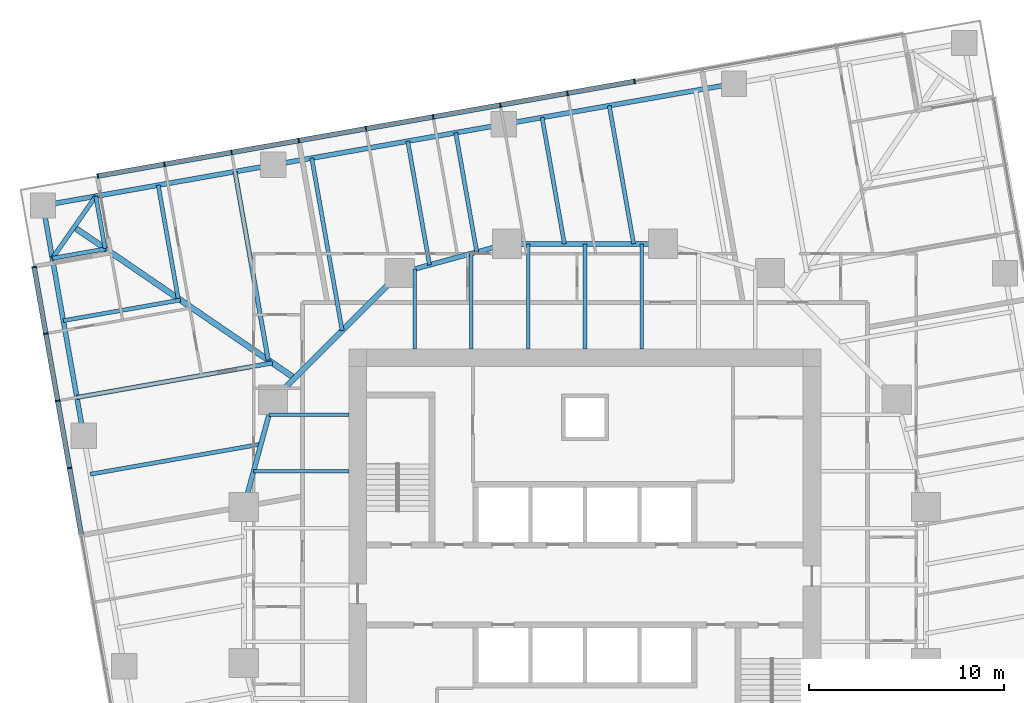
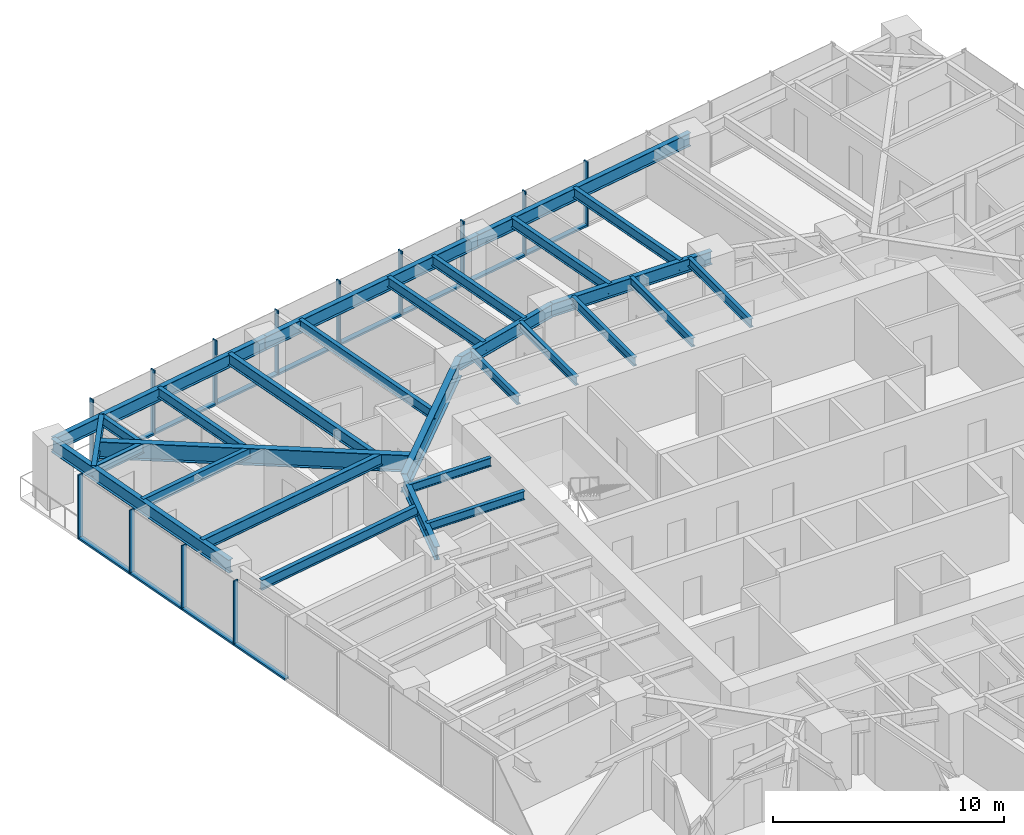
# One storey, part 5 of 14: 29 beams, 25 members, 2 elements without a shape of their own.
"""IFC4 building model written with IfcOpenShell, lengths in metres."""

from ifc_helpers import new_model, si_unit, direction, frame, origin, origin_2d, place, context, subcontext, project, spatial, rectangle, i_section, extrude, material, material_profile, profile_set, type_object, element, aggregate, save


model = new_model("IFC4")

# Units and contexts
model_context = context("Model", 3, precision=1e-05, world=origin(), true_north=direction((0.0, 1.0)))
body_context = subcontext(model_context, "Body", "Model", "MODEL_VIEW")
ifc_project = project(units=[si_unit("LENGTHUNIT", "METRE"), si_unit("AREAUNIT", "SQUARE_METRE"), si_unit("VOLUMEUNIT", "CUBIC_METRE"), si_unit("PLANEANGLEUNIT", "RADIAN"), si_unit("MASSUNIT", "GRAM", prefix="KILO")], contexts=[model_context])

# Site, building, storey
site_placement = place(None, origin())
site = spatial("IfcSite", under=ifc_project, at=site_placement, CompositionType="ELEMENT")
building_placement = place(site_placement, origin())
building = spatial("IfcBuilding", under=site, at=building_placement, Name="Torsade Residences", CompositionType="ELEMENT")
storey_placement = place(building_placement, frame((0.0, 0.0, 82.800048828125)))
storey = spatial("IfcBuildingStorey", under=building, at=storey_placement, Name="L22", CompositionType="ELEMENT", Elevation=82.800048828125)

# Beams
ifc_material_1 = material(Name="Steel grade 300", Category="steel")
ifc_material_profile_1 = material_profile(ifc_material_1, i_section(OverallWidth=0.300048828125, OverallDepth=0.89990234375, WebThickness=0.011962890625, FlangeThickness=0.02490234375, at=origin_2d()), Name="900WB175")
ifc_profile_set_1 = profile_set([ifc_material_profile_1], Name="Steel grade 300")
beam_type_1 = type_object("IfcBeamType", Name="CORNER GIRDER 900WB175", PredefinedType="BEAM", material=ifc_profile_set_1)
beam_1_placement = place(storey_placement, frame((13.7900390625, 48.3525390625, 2.800048828125), z_axis=(0.825279313977, -0.564724759437, 0.0), x_axis=(0.564724759437, 0.825279313977, 0.0)))
element("IfcBeam", 1, at=beam_1_placement, inside=storey, type_object=beam_type_1, Name="Corner girder 13 L23", PredefinedType="BEAM", context=body_context, shape_type="SweptSolid", body=[
    extrude(i_section(OverallWidth=0.300048828125, OverallDepth=0.89990234375, WebThickness=0.011962890625, FlangeThickness=0.02490234375, at=origin_2d()), origin(), (0.0, 0.0, 1.0), 13.7138671875),
])
ifc_material_2 = material(Name="Steel grade 300", Category="steel")
ifc_material_profile_2 = material_profile(ifc_material_2, i_section(OverallWidth=0.22802734375, OverallDepth=0.60205078125, WebThickness=0.010498046875, FlangeThickness=0.014892578125, FilletRadius=0.013916015625, at=origin_2d()), Name="610UB101")
ifc_profile_set_2 = profile_set([ifc_material_profile_2], Name="Steel grade 300")
beam_type_2 = type_object("IfcBeamType", Name="CORNER TRIMMER 610UB101", PredefinedType="BEAM", material=ifc_profile_set_2)
beam_2_placement = place(storey_placement, frame((12.674560546875, 46.759521484375, 2.948974609375), z_axis=(0.573576092373, 0.819152285145, 0.0), x_axis=(-0.819152285145, 0.573576092373, 0.0)))
element("IfcBeam", 2, at=beam_2_placement, inside=storey, type_object=beam_type_2, Name="Corner trimmer 13 L23", PredefinedType="BEAM", context=body_context, shape_type="SweptSolid", body=[
    extrude(i_section(OverallWidth=0.22802734375, OverallDepth=0.60205078125, WebThickness=0.010498046875, FlangeThickness=0.014892578125, FilletRadius=0.013916015625, at=origin_2d()), origin(), (0.0, 0.0, 1.0), 3.88916015625),
])

# Curtain wall, members
ifc_material_3 = material(Name="Aluminium and glass", Category="aluminium")
curtain_wall_type = type_object("IfcCurtainWallType", Name="FRITTED GLASS CURTAIN WALL LOW ZONE", PredefinedType="NOTDEFINED", material=ifc_material_3)
curtain_wall_1_placement = place(storey_placement, origin())
curtain_wall_1 = element("IfcCurtainWall", 3, at=curtain_wall_1_placement, inside=storey, type_object=curtain_wall_type, Name="Curtain wall L22 face 7", PredefinedType="NOTDEFINED")
ifc_material_4 = material(Name="Aluminium mullion", Category="aluminium")
ifc_material_profile_3 = material_profile(ifc_material_4, rectangle(XDim=0.25, YDim=0.06494140625, at=origin_2d()), Name="CURTAIN WALL MULLION 250x65")
ifc_profile_set_3 = profile_set([ifc_material_profile_3], Name="Aluminium mullion")
member_type_1 = type_object("IfcMemberType", Name="CURTAIN WALL MULLION 250x65", PredefinedType="MULLION", material=ifc_profile_set_3)
member_1_placement = place(storey_placement, frame((42.552490234375, 55.835693359375, 0.0), z_axis=(0.0, 0.0, 1.0), x_axis=(0.173648192638, -0.984807750372, 0.0)))
member_1 = element("IfcMember", 4, at=member_1_placement, type_object=member_type_1, Name="Mullion 5", PredefinedType="MULLION", context=body_context, shape_type="SweptSolid", body=[
    extrude(rectangle(XDim=0.25, YDim=0.06494140625, at=origin_2d()), origin(), (0.0, 0.0, 1.0), 3.39990234375),
])
member_2_placement = place(storey_placement, frame((39.105712890625, 55.22802734375, 0.0), z_axis=(0.0, 0.0, 1.0), x_axis=(0.173648192638, -0.984807750372, 0.0)))
member_2 = element("IfcMember", 5, at=member_2_placement, type_object=member_type_1, Name="Mullion 6", PredefinedType="MULLION", context=body_context, shape_type="SweptSolid", body=[
    extrude(rectangle(XDim=0.25, YDim=0.06494140625, at=origin_2d()), origin(), (0.0, 0.0, 1.0), 3.39990234375),
])
member_3_placement = place(storey_placement, frame((35.65869140625, 54.6201171875, 0.0), z_axis=(0.0, 0.0, 1.0), x_axis=(0.173648192638, -0.984807750372, 0.0)))
member_3 = element("IfcMember", 6, at=member_3_placement, type_object=member_type_1, Name="Mullion 7", PredefinedType="MULLION", context=body_context, shape_type="SweptSolid", body=[
    extrude(rectangle(XDim=0.25, YDim=0.06494140625, at=origin_2d()), origin(), (0.0, 0.0, 1.0), 3.39990234375),
])
member_4_placement = place(storey_placement, frame((32.2119140625, 54.012451171875, 0.0), z_axis=(0.0, 0.0, 1.0), x_axis=(0.173648192638, -0.984807750372, 0.0)))
member_4 = element("IfcMember", 7, at=member_4_placement, type_object=member_type_1, Name="Mullion 8", PredefinedType="MULLION", context=body_context, shape_type="SweptSolid", body=[
    extrude(rectangle(XDim=0.25, YDim=0.06494140625, at=origin_2d()), origin(), (0.0, 0.0, 1.0), 3.39990234375),
])
member_5_placement = place(storey_placement, frame((28.76513671875, 53.404541015625, 0.0), z_axis=(0.0, 0.0, 1.0), x_axis=(0.173648192638, -0.984807750372, 0.0)))
member_5 = element("IfcMember", 8, at=member_5_placement, type_object=member_type_1, Name="Mullion 9", PredefinedType="MULLION", context=body_context, shape_type="SweptSolid", body=[
    extrude(rectangle(XDim=0.25, YDim=0.06494140625, at=origin_2d()), origin(), (0.0, 0.0, 1.0), 3.39990234375),
])
member_6_placement = place(storey_placement, frame((25.318359375, 52.796875, 0.0), z_axis=(0.0, 0.0, 1.0), x_axis=(0.173648192638, -0.984807750372, 0.0)))
member_6 = element("IfcMember", 9, at=member_6_placement, type_object=member_type_1, Name="Mullion 10", PredefinedType="MULLION", context=body_context, shape_type="SweptSolid", body=[
    extrude(rectangle(XDim=0.25, YDim=0.06494140625, at=origin_2d()), origin(), (0.0, 0.0, 1.0), 3.39990234375),
])
member_7_placement = place(storey_placement, frame((21.87158203125, 52.189208984375, 0.0), z_axis=(0.0, 0.0, 1.0), x_axis=(0.173648192638, -0.984807750372, 0.0)))
member_7 = element("IfcMember", 10, at=member_7_placement, type_object=member_type_1, Name="Mullion 11", PredefinedType="MULLION", context=body_context, shape_type="SweptSolid", body=[
    extrude(rectangle(XDim=0.25, YDim=0.06494140625, at=origin_2d()), origin(), (0.0, 0.0, 1.0), 3.39990234375),
])
member_8_placement = place(storey_placement, frame((18.424560546875, 51.581298828125, 0.0), z_axis=(0.0, 0.0, 1.0), x_axis=(0.173648192638, -0.984807750372, 0.0)))
member_8 = element("IfcMember", 11, at=member_8_placement, type_object=member_type_1, Name="Mullion 12", PredefinedType="MULLION", context=body_context, shape_type="SweptSolid", body=[
    extrude(rectangle(XDim=0.25, YDim=0.06494140625, at=origin_2d()), origin(), (0.0, 0.0, 1.0), 3.39990234375),
])
member_9_placement = place(storey_placement, frame((15.009765625, 50.979248046875, 0.0), z_axis=(0.0, 0.0, 1.0), x_axis=(0.173648192638, -0.984807750372, 0.0)))
member_9 = element("IfcMember", 12, at=member_9_placement, type_object=member_type_1, Name="Mullion 13", PredefinedType="MULLION", context=body_context, shape_type="SweptSolid", body=[
    extrude(rectangle(XDim=0.25, YDim=0.06494140625, at=origin_2d()), origin(), (0.0, 0.0, 1.0), 3.39990234375),
])

curtain_wall_2_placement = place(storey_placement, origin())
curtain_wall_2 = element("IfcCurtainWall", 13, at=curtain_wall_2_placement, inside=storey, type_object=curtain_wall_type, Name="Curtain wall L22 face 10", PredefinedType="NOTDEFINED")
member_10_placement = place(storey_placement, frame((11.73876953125, 46.307861328125, 0.0), z_axis=(0.0, 0.0, 1.0), x_axis=(0.984807750372, 0.173648192638, 0.0)))
member_10 = element("IfcMember", 14, at=member_10_placement, type_object=member_type_1, Name="Mullion 1", PredefinedType="MULLION", context=body_context, shape_type="SweptSolid", body=[
    extrude(rectangle(XDim=0.25, YDim=0.06494140625, at=origin_2d()), origin(), (0.0, 0.0, 1.0), 3.39990234375),
])
member_11_placement = place(storey_placement, frame((12.341064453125, 42.892822265625, 0.0), z_axis=(0.0, 0.0, 1.0), x_axis=(0.984807750372, 0.173648192638, 0.0)))
member_11 = element("IfcMember", 15, at=member_11_placement, type_object=member_type_1, Name="Mullion 2", PredefinedType="MULLION", context=body_context, shape_type="SweptSolid", body=[
    extrude(rectangle(XDim=0.25, YDim=0.06494140625, at=origin_2d()), origin(), (0.0, 0.0, 1.0), 3.39990234375),
])
member_12_placement = place(storey_placement, frame((12.94873046875, 39.446044921875, 0.0), z_axis=(0.0, 0.0, 1.0), x_axis=(0.984807750372, 0.173648192638, 0.0)))
member_12 = element("IfcMember", 16, at=member_12_placement, type_object=member_type_1, Name="Mullion 3", PredefinedType="MULLION", context=body_context, shape_type="SweptSolid", body=[
    extrude(rectangle(XDim=0.25, YDim=0.06494140625, at=origin_2d()), origin(), (0.0, 0.0, 1.0), 3.39990234375),
])
member_13_placement = place(storey_placement, frame((13.556396484375, 35.999267578125, 0.0), z_axis=(0.0, 0.0, 1.0), x_axis=(0.984807750372, 0.173648192638, 0.0)))
member_13 = element("IfcMember", 17, at=member_13_placement, type_object=member_type_1, Name="Mullion 4", PredefinedType="MULLION", context=body_context, shape_type="SweptSolid", body=[
    extrude(rectangle(XDim=0.25, YDim=0.06494140625, at=origin_2d()), origin(), (0.0, 0.0, 1.0), 3.39990234375),
])

# Member
ifc_material_5 = material(Name="Aluminium transom", Category="aluminium")
ifc_material_profile_4 = material_profile(ifc_material_5, rectangle(XDim=0.25, YDim=0.10009765625, at=origin_2d()), Name="CURTAIN WALL TRANSOM 250x100")
ifc_profile_set_4 = profile_set([ifc_material_profile_4], Name="Aluminium transom")
member_type_2 = type_object("IfcMemberType", Name="CURTAIN WALL TRANSOM 250x100", PredefinedType="USERDEFINED", material=ifc_profile_set_4)
member_14_placement = place(storey_placement, frame((42.5205078125, 55.830078125, 0.050048828125), z_axis=(-0.984810021497, -0.17363531196, 0.0), x_axis=(0.17363531196, -0.984810021497, 0.0)))
member_14 = element("IfcMember", 18, at=member_14_placement, type_object=member_type_2, Name="Transom 5.1", ObjectType="TRANSOM", PredefinedType="USERDEFINED", context=body_context, shape_type="SweptSolid", body=[
    extrude(rectangle(XDim=0.25, YDim=0.10009765625, at=origin_2d()), origin(), (0.0, 0.0, 1.0), 3.43505859375),
])

member_15_placement = place(storey_placement, frame((39.07373046875, 55.222412109375, 0.050048828125), z_axis=(-0.98479786563, -0.173704242465, 0.0), x_axis=(0.173704242465, -0.98479786563, 0.0)))
member_15 = element("IfcMember", 19, at=member_15_placement, type_object=member_type_2, Name="Transom 6.1", ObjectType="TRANSOM", PredefinedType="USERDEFINED", context=body_context, shape_type="SweptSolid", body=[
    extrude(rectangle(XDim=0.25, YDim=0.10009765625, at=origin_2d()), origin(), (0.0, 0.0, 1.0), 3.43505859375),
])

member_16_placement = place(storey_placement, frame((35.626708984375, 54.614501953125, 0.050048828125), z_axis=(-0.984810021497, -0.17363531196, 0.0), x_axis=(0.17363531196, -0.984810021497, 0.0)))
member_16 = element("IfcMember", 20, at=member_16_placement, type_object=member_type_2, Name="Transom 7.1", ObjectType="TRANSOM", PredefinedType="USERDEFINED", context=body_context, shape_type="SweptSolid", body=[
    extrude(rectangle(XDim=0.25, YDim=0.10009765625, at=origin_2d()), origin(), (0.0, 0.0, 1.0), 3.43505859375),
])

member_17_placement = place(storey_placement, frame((32.179931640625, 54.0068359375, 0.050048828125), z_axis=(-0.984810021497, -0.17363531196, 0.0), x_axis=(0.17363531196, -0.984810021497, 0.0)))
member_17 = element("IfcMember", 21, at=member_17_placement, type_object=member_type_2, Name="Transom 8.1", ObjectType="TRANSOM", PredefinedType="USERDEFINED", context=body_context, shape_type="SweptSolid", body=[
    extrude(rectangle(XDim=0.25, YDim=0.10009765625, at=origin_2d()), origin(), (0.0, 0.0, 1.0), 3.43505859375),
])

member_18_placement = place(storey_placement, frame((28.733154296875, 53.39892578125, 0.050048828125), z_axis=(-0.984810021497, -0.17363531196, 0.0), x_axis=(0.17363531196, -0.984810021497, 0.0)))
member_18 = element("IfcMember", 22, at=member_18_placement, type_object=member_type_2, Name="Transom 9.1", ObjectType="TRANSOM", PredefinedType="USERDEFINED", context=body_context, shape_type="SweptSolid", body=[
    extrude(rectangle(XDim=0.25, YDim=0.10009765625, at=origin_2d()), origin(), (0.0, 0.0, 1.0), 3.43505859375),
])

member_19_placement = place(storey_placement, frame((25.286376953125, 52.791259765625, 0.050048828125), z_axis=(-0.984810021497, -0.17363531196, 0.0), x_axis=(0.17363531196, -0.984810021497, 0.0)))
member_19 = element("IfcMember", 23, at=member_19_placement, type_object=member_type_2, Name="Transom 10.1", ObjectType="TRANSOM", PredefinedType="USERDEFINED", context=body_context, shape_type="SweptSolid", body=[
    extrude(rectangle(XDim=0.25, YDim=0.10009765625, at=origin_2d()), origin(), (0.0, 0.0, 1.0), 3.43505859375),
])

member_20_placement = place(storey_placement, frame((21.839599609375, 52.18359375, 0.050048828125), z_axis=(-0.98479786563, -0.173704242465, 0.0), x_axis=(0.173704242465, -0.98479786563, 0.0)))
member_20 = element("IfcMember", 24, at=member_20_placement, type_object=member_type_2, Name="Transom 11.1", ObjectType="TRANSOM", PredefinedType="USERDEFINED", context=body_context, shape_type="SweptSolid", body=[
    extrude(rectangle(XDim=0.25, YDim=0.10009765625, at=origin_2d()), origin(), (0.0, 0.0, 1.0), 3.43505859375),
])

member_21_placement = place(storey_placement, frame((18.392578125, 51.57568359375, 0.050048828125), z_axis=(-0.984808830466, -0.173642067011, 0.0), x_axis=(0.173642067011, -0.984808830466, 0.0)))
member_21 = element("IfcMember", 25, at=member_21_placement, type_object=member_type_2, Name="Transom 12.1", ObjectType="TRANSOM", PredefinedType="USERDEFINED", context=body_context, shape_type="SweptSolid", body=[
    extrude(rectangle(XDim=0.25, YDim=0.10009765625, at=origin_2d()), origin(), (0.0, 0.0, 1.0), 3.402587890625),
])

aggregate(curtain_wall_1, [member_1, member_2, member_3, member_4, member_5, member_6, member_7, member_8, member_9, member_14, member_15, member_16, member_17, member_18, member_19, member_20, member_21])

member_22_placement = place(storey_placement, frame((11.744384765625, 46.275634765625, 0.050048828125), z_axis=(0.173654337918, -0.984806666774, 0.0), x_axis=(0.984806666774, 0.173654337918, 0.0)))
member_22 = element("IfcMember", 26, at=member_22_placement, type_object=member_type_2, Name="Transom 1.1", ObjectType="TRANSOM", PredefinedType="USERDEFINED", context=body_context, shape_type="SweptSolid", body=[
    extrude(rectangle(XDim=0.25, YDim=0.10009765625, at=origin_2d()), origin(), (0.0, 0.0, 1.0), 3.40234375),
])

member_23_placement = place(storey_placement, frame((12.3466796875, 42.86083984375, 0.050048828125), z_axis=(0.17363531196, -0.984810021497, 0.0), x_axis=(0.984810021497, 0.17363531196, 0.0)))
member_23 = element("IfcMember", 27, at=member_23_placement, type_object=member_type_2, Name="Transom 2.1", ObjectType="TRANSOM", PredefinedType="USERDEFINED", context=body_context, shape_type="SweptSolid", body=[
    extrude(rectangle(XDim=0.25, YDim=0.10009765625, at=origin_2d()), origin(), (0.0, 0.0, 1.0), 3.43505859375),
])

member_24_placement = place(storey_placement, frame((12.954345703125, 39.4140625, 0.050048828125), z_axis=(0.17363531196, -0.984810021497, 0.0), x_axis=(0.984810021497, 0.17363531196, 0.0)))
member_24 = element("IfcMember", 28, at=member_24_placement, type_object=member_type_2, Name="Transom 3.1", ObjectType="TRANSOM", PredefinedType="USERDEFINED", context=body_context, shape_type="SweptSolid", body=[
    extrude(rectangle(XDim=0.25, YDim=0.10009765625, at=origin_2d()), origin(), (0.0, 0.0, 1.0), 3.43505859375),
])

member_25_placement = place(storey_placement, frame((13.562255859375, 35.96728515625, 0.050048828125), z_axis=(0.17363531196, -0.984810021497, 0.0), x_axis=(0.984810021497, 0.17363531196, 0.0)))
member_25 = element("IfcMember", 29, at=member_25_placement, type_object=member_type_2, Name="Transom 4.1", ObjectType="TRANSOM", PredefinedType="USERDEFINED", context=body_context, shape_type="SweptSolid", body=[
    extrude(rectangle(XDim=0.25, YDim=0.10009765625, at=origin_2d()), origin(), (0.0, 0.0, 1.0), 3.43505859375),
])

aggregate(curtain_wall_2, [member_10, member_11, member_12, member_13, member_22, member_23, member_24, member_25])

# Beams
ifc_material_6 = material(Name="Steel grade 300", Category="steel")
ifc_material_profile_5 = material_profile(ifc_material_6, i_section(OverallWidth=0.25, OverallDepth=0.699951171875, WebThickness=0.010009765625, FlangeThickness=0.02001953125, at=origin_2d()), Name="700WB130")
ifc_profile_set_5 = profile_set([ifc_material_profile_5], Name="Steel grade 300")
beam_type_3 = type_object("IfcBeamType", Name="EDGE BEAM 700WB130", PredefinedType="SPANDREL", material=ifc_profile_set_5)
beam_3_placement = place(storey_placement, frame((47.650146484375, 55.71923828125, 2.89990234375), z_axis=(-0.984808127031, -0.173646056486, 0.0), x_axis=(0.173646056486, -0.984808127031, 0.0)))
element("IfcBeam", 30, at=beam_3_placement, inside=storey, type_object=beam_type_3, Name="Edge beam 10 L23", PredefinedType="SPANDREL", context=body_context, shape_type="SweptSolid", body=[
    extrude(i_section(OverallWidth=0.25, OverallDepth=0.699951171875, WebThickness=0.010009765625, FlangeThickness=0.02001953125, at=origin_2d()), origin(), (0.0, 0.0, 1.0), 12.0),
])
beam_4_placement = place(storey_placement, frame((35.83251953125, 53.635498046875, 2.89990234375), z_axis=(-0.984805261243, -0.173662308598, 0.0), x_axis=(0.173662308598, -0.984805261243, 0.0)))
element("IfcBeam", 31, at=beam_4_placement, inside=storey, type_object=beam_type_3, Name="Edge beam 11 L23", PredefinedType="SPANDREL", context=body_context, shape_type="SweptSolid", body=[
    extrude(i_section(OverallWidth=0.25, OverallDepth=0.699951171875, WebThickness=0.010009765625, FlangeThickness=0.02001953125, at=origin_2d()), origin(), (0.0, 0.0, 1.0), 12.000244140625),
])
for number, where, z_axis, x_axis, name in (
    (32, (24.0146484375, 51.551513671875, 2.89990234375), (-0.984808127031, -0.173646056486, 0.0), (0.173646056486, -0.984808127031, 0.0), "Edge beam 12 L23"),
    (33, (12.197021484375, 49.4677734375, 2.89990234375), (0.173646056486, -0.984808127031, 0.0), (0.984808127031, 0.173646056486, 0.0), "Edge beam 13 L23"),
):
    element("IfcBeam", number, at=place(storey_placement, frame(where, z_axis=z_axis, x_axis=x_axis)), inside=storey, type_object=beam_type_3, Name=name, PredefinedType="SPANDREL", context=body_context, shape_type="SweptSolid", body=[
        extrude(i_section(OverallWidth=0.25, OverallDepth=0.699951171875, WebThickness=0.010009765625, FlangeThickness=0.02001953125, at=origin_2d()), origin(), (0.0, 0.0, 1.0), 12.0),
    ])
ifc_material_7 = material(Name="Steel grade 300", Category="steel")
ifc_material_profile_6 = material_profile(ifc_material_7, i_section(OverallWidth=0.18994140625, OverallDepth=0.4541015625, WebThickness=0.008544921875, FlangeThickness=0.0126953125, FilletRadius=0.011474609375, at=origin_2d()), Name="460UB67.1")
ifc_profile_set_6 = profile_set([ifc_material_profile_6], Name="Steel grade 300")
beam_type_4 = type_object("IfcBeamType", Name="INNER FLOOR BEAM 460UB67.1", PredefinedType="JOIST", material=ifc_profile_set_6)
beam_5_placement = place(storey_placement, frame((31.262451171875, 42.10009765625, 3.02294921875), z_axis=(0.0, 1.0, 0.0), x_axis=(-1.0, 0.0, 0.0)))
element("IfcBeam", 34, at=beam_5_placement, inside=storey, type_object=beam_type_4, Name="Inner floor beam IN01 L23", PredefinedType="JOIST", context=body_context, shape_type="SweptSolid", body=[
    extrude(i_section(OverallWidth=0.18994140625, OverallDepth=0.4541015625, WebThickness=0.008544921875, FlangeThickness=0.0126953125, FilletRadius=0.011474609375, at=origin_2d()), origin(), (0.0, 0.0, 1.0), 4.10791015625),
])
beam_6_placement = place(storey_placement, frame((34.175048828125, 42.10009765625, 3.02294921875), z_axis=(0.0, 1.0, 0.0), x_axis=(-1.0, 0.0, 0.0)))
element("IfcBeam", 35, at=beam_6_placement, inside=storey, type_object=beam_type_4, Name="Inner floor beam IN02 L23", PredefinedType="JOIST", context=body_context, shape_type="SweptSolid", body=[
    extrude(i_section(OverallWidth=0.18994140625, OverallDepth=0.4541015625, WebThickness=0.008544921875, FlangeThickness=0.0126953125, FilletRadius=0.011474609375, at=origin_2d()), origin(), (0.0, 0.0, 1.0), 4.902099609375),
])
for number, where, z_axis, x_axis, name in (
    (36, (37.08740234375, 42.10009765625, 3.02294921875), (0.0, 1.0, 0.0), (-1.0, 0.0, 0.0), "Inner floor beam IN03 L23"),
    (37, (40.0, 42.10009765625, 3.02294921875), (0.0, 1.0, 0.0), (-1.0, 0.0, 0.0), "Inner floor beam IN04 L23"),
    (38, (42.91259765625, 42.10009765625, 3.02294921875), (0.0, 1.0, 0.0), (-1.0, 0.0, 0.0), "Inner floor beam IN05 L23"),
):
    element("IfcBeam", number, at=place(storey_placement, frame(where, z_axis=z_axis, x_axis=x_axis)), inside=storey, type_object=beam_type_4, Name=name, PredefinedType="JOIST", context=body_context, shape_type="SweptSolid", body=[
        extrude(i_section(OverallWidth=0.18994140625, OverallDepth=0.4541015625, WebThickness=0.008544921875, FlangeThickness=0.0126953125, FilletRadius=0.011474609375, at=origin_2d()), origin(), (0.0, 0.0, 1.0), 5.39990234375),
    ])
beam_7_placement = place(storey_placement, frame((27.89990234375, 38.737548828125, 3.02294921875), z_axis=(-1.0, 0.0, 0.0), x_axis=(0.0, -1.0, 0.0)))
element("IfcBeam", 39, at=beam_7_placement, inside=storey, type_object=beam_type_4, Name="Inner floor beam IW01 L23", PredefinedType="JOIST", context=body_context, shape_type="SweptSolid", body=[
    extrude(i_section(OverallWidth=0.18994140625, OverallDepth=0.4541015625, WebThickness=0.008544921875, FlangeThickness=0.0126953125, FilletRadius=0.011474609375, at=origin_2d()), origin(), (0.0, 0.0, 1.0), 4.10791015625),
])
beam_8_placement = place(storey_placement, frame((27.89990234375, 35.824951171875, 3.02294921875), z_axis=(-1.0, 0.0, 0.0), x_axis=(0.0, -1.0, 0.0)))
element("IfcBeam", 40, at=beam_8_placement, inside=storey, type_object=beam_type_4, Name="Inner floor beam IW02 L23", PredefinedType="JOIST", context=body_context, shape_type="SweptSolid", body=[
    extrude(i_section(OverallWidth=0.18994140625, OverallDepth=0.4541015625, WebThickness=0.008544921875, FlangeThickness=0.0126953125, FilletRadius=0.011474609375, at=origin_2d()), origin(), (0.0, 0.0, 1.0), 4.902099609375),
])
ifc_material_8 = material(Name="Steel grade 300", Category="steel")
ifc_material_profile_7 = material_profile(ifc_material_8, i_section(OverallWidth=0.300048828125, OverallDepth=1.0, WebThickness=0.01611328125, FlangeThickness=0.028076171875, at=origin_2d()), Name="1000WB215")
ifc_profile_set_7 = profile_set([ifc_material_profile_7], Name="Steel grade 300")
beam_type_5 = type_object("IfcBeamType", Name="RING CORNER GIRDER 1000WB215", PredefinedType="BEAM", material=ifc_profile_set_7)
beam_9_placement = place(storey_placement, frame((30.5, 46.0, 2.75), z_axis=(-0.707106781187, -0.707106781187, 0.0), x_axis=(0.707106781187, -0.707106781187, 0.0)))
element("IfcBeam", 41, at=beam_9_placement, inside=storey, type_object=beam_type_5, Name="Ring girder IR07 L23", PredefinedType="BEAM", context=body_context, shape_type="SweptSolid", body=[
    extrude(i_section(OverallWidth=0.300048828125, OverallDepth=1.0, WebThickness=0.01611328125, FlangeThickness=0.028076171875, at=origin_2d()), origin(), (0.0, 0.0, 1.0), 9.1923828125),
])
ifc_material_9 = material(Name="Steel grade 300", Category="steel")
ifc_material_profile_8 = material_profile(ifc_material_9, i_section(OverallWidth=0.25, OverallDepth=0.699951171875, WebThickness=0.010009765625, FlangeThickness=0.02001953125, at=origin_2d()), Name="700WB130")
ifc_profile_set_8 = profile_set([ifc_material_profile_8], Name="Steel grade 300")
beam_type_6 = type_object("IfcBeamType", Name="RING GIRDER 700WB130", PredefinedType="BEAM", material=ifc_profile_set_8)
beam_10_placement = place(storey_placement, frame((44.0, 47.5, 2.89990234375), z_axis=(-1.0, 0.0, 0.0), x_axis=(0.0, -1.0, 0.0)))
element("IfcBeam", 42, at=beam_10_placement, inside=storey, type_object=beam_type_6, Name="Ring girder IR05 L23", PredefinedType="BEAM", context=body_context, shape_type="SweptSolid", body=[
    extrude(i_section(OverallWidth=0.25, OverallDepth=0.699951171875, WebThickness=0.010009765625, FlangeThickness=0.02001953125, at=origin_2d()), origin(), (0.0, 0.0, 1.0), 8.0),
])
for number, where, z_axis, x_axis, name in (
    (43, (36.0, 47.5, 2.89990234375), (-0.964763821238, -0.263117405792, 0.0), (0.263117405792, -0.964763821238, 0.0), "Ring girder IR06 L23"),
    (44, (24.0, 39.5, 2.89990234375), (-0.263117405792, -0.964763821238, 0.0), (0.964763821238, -0.263117405792, 0.0), "Ring girder IR08 L23"),
):
    element("IfcBeam", number, at=place(storey_placement, frame(where, z_axis=z_axis, x_axis=x_axis)), inside=storey, type_object=beam_type_6, Name=name, PredefinedType="BEAM", context=body_context, shape_type="SweptSolid", body=[
        extrude(i_section(OverallWidth=0.25, OverallDepth=0.699951171875, WebThickness=0.010009765625, FlangeThickness=0.02001953125, at=origin_2d()), origin(), (0.0, 0.0, 1.0), 5.700927734375),
    ])
ifc_material_10 = material(Name="Steel grade 300", Category="steel")
ifc_material_profile_9 = material_profile(ifc_material_10, i_section(OverallWidth=0.208984375, OverallDepth=0.528076171875, WebThickness=0.009521484375, FlangeThickness=0.01318359375, FilletRadius=0.013916015625, at=origin_2d()), Name="530UB82.0")
ifc_profile_set_9 = profile_set([ifc_material_profile_9], Name="Steel grade 300")
beam_type_7 = type_object("IfcBeamType", Name="SECONDARY BEAM 530UB82.0", PredefinedType="JOIST", material=ifc_profile_set_9)
beam_11_placement = place(storey_placement, frame((41.248779296875, 54.59033203125, 2.98583984375), z_axis=(0.173651855324, -0.984807104535, 0.0), x_axis=(0.984807104535, 0.173651855324, 0.0)))
element("IfcBeam", 45, at=beam_11_placement, inside=storey, type_object=beam_type_7, Name="Floor beam FN05 L23", PredefinedType="JOIST", context=body_context, shape_type="SweptSolid", body=[
    extrude(i_section(OverallWidth=0.208984375, OverallDepth=0.528076171875, WebThickness=0.009521484375, FlangeThickness=0.01318359375, FilletRadius=0.013916015625, at=origin_2d()), origin(), (0.0, 0.0, 1.0), 7.19970703125),
])
beam_12_placement = place(storey_placement, frame((37.802001953125, 53.982666015625, 2.98583984375), z_axis=(0.173647806501, -0.984807818459, 0.0), x_axis=(0.984807818459, 0.173647806501, 0.0)))
element("IfcBeam", 46, at=beam_12_placement, inside=storey, type_object=beam_type_7, Name="Floor beam FN06 L23", PredefinedType="JOIST", context=body_context, shape_type="SweptSolid", body=[
    extrude(i_section(OverallWidth=0.208984375, OverallDepth=0.528076171875, WebThickness=0.009521484375, FlangeThickness=0.01318359375, FilletRadius=0.013916015625, at=origin_2d()), origin(), (0.0, 0.0, 1.0), 6.582763671875),
])
beam_13_placement = place(storey_placement, frame((33.370361328125, 53.201171875, 2.98583984375), z_axis=(0.173655425542, -0.984806474989, 0.0), x_axis=(0.984806474989, 0.173655425542, 0.0)))
element("IfcBeam", 47, at=beam_13_placement, inside=storey, type_object=beam_type_7, Name="Floor beam FN07 L23", PredefinedType="JOIST", context=body_context, shape_type="SweptSolid", body=[
    extrude(i_section(OverallWidth=0.208984375, OverallDepth=0.528076171875, WebThickness=0.009521484375, FlangeThickness=0.01318359375, FilletRadius=0.013916015625, at=origin_2d()), origin(), (0.0, 0.0, 1.0), 6.21826171875),
])
beam_14_placement = place(storey_placement, frame((30.908447265625, 52.76708984375, 2.98583984375), z_axis=(0.17363198078, -0.984810608823, 0.0), x_axis=(0.984810608823, 0.17363198078, 0.0)))
element("IfcBeam", 48, at=beam_14_placement, inside=storey, type_object=beam_type_7, Name="Floor beam FN08 L23", PredefinedType="JOIST", context=body_context, shape_type="SweptSolid", body=[
    extrude(i_section(OverallWidth=0.208984375, OverallDepth=0.528076171875, WebThickness=0.009521484375, FlangeThickness=0.01318359375, FilletRadius=0.013916015625, at=origin_2d()), origin(), (0.0, 0.0, 1.0), 6.4482421875),
])
beam_15_placement = place(storey_placement, frame((25.984375, 51.89892578125, 2.98583984375), z_axis=(0.173639706679, -0.984809246638, 0.0), x_axis=(0.984809246638, 0.173639706679, 0.0)))
element("IfcBeam", 49, at=beam_15_placement, inside=storey, type_object=beam_type_7, Name="Floor beam FN09 L23", PredefinedType="JOIST", context=body_context, shape_type="SweptSolid", body=[
    extrude(i_section(OverallWidth=0.208984375, OverallDepth=0.528076171875, WebThickness=0.009521484375, FlangeThickness=0.01318359375, FilletRadius=0.013916015625, at=origin_2d()), origin(), (0.0, 0.0, 1.0), 8.989990234375),
])
beam_16_placement = place(storey_placement, frame((18.10595703125, 50.509765625, 2.98583984375), z_axis=(0.173629569808, -0.984811033899, 0.0), x_axis=(0.984811033899, 0.173629569808, 0.0)))
element("IfcBeam", 50, at=beam_16_placement, inside=storey, type_object=beam_type_7, Name="Floor beam FN11 L23", PredefinedType="JOIST", context=body_context, shape_type="SweptSolid", body=[
    extrude(i_section(OverallWidth=0.208984375, OverallDepth=0.528076171875, WebThickness=0.009521484375, FlangeThickness=0.01318359375, FilletRadius=0.013916015625, at=origin_2d()), origin(), (0.0, 0.0, 1.0), 5.9013671875),
])
beam_17_placement = place(storey_placement, frame((14.9052734375, 49.9453125, 2.98583984375), z_axis=(0.17364710834, -0.984807941563, 0.0), x_axis=(0.984807941563, 0.17364710834, 0.0)))
element("IfcBeam", 51, at=beam_17_placement, inside=storey, type_object=beam_type_7, Name="Floor beam FN12 L23", PredefinedType="JOIST", context=body_context, shape_type="SweptSolid", body=[
    extrude(i_section(OverallWidth=0.208984375, OverallDepth=0.528076171875, WebThickness=0.009521484375, FlangeThickness=0.01318359375, FilletRadius=0.013916015625, at=origin_2d()), origin(), (0.0, 0.0, 1.0), 2.720458984375),
])
beam_18_placement = place(storey_placement, frame((12.674560546875, 46.759521484375, 2.98583984375), z_axis=(0.984797700832, 0.173705176765, 0.0), x_axis=(-0.173705176765, 0.984797700832, 0.0)))
element("IfcBeam", 52, at=beam_18_placement, inside=storey, type_object=beam_type_7, Name="Floor beam FW01 L23", PredefinedType="JOIST", context=body_context, shape_type="SweptSolid", body=[
    extrude(i_section(OverallWidth=0.208984375, OverallDepth=0.528076171875, WebThickness=0.009521484375, FlangeThickness=0.01318359375, FilletRadius=0.013916015625, at=origin_2d()), origin(), (0.0, 0.0, 1.0), 2.780029296875),
])
beam_19_placement = place(storey_placement, frame((13.239013671875, 43.55908203125, 2.98583984375), z_axis=(0.984809331556, 0.173639225065, 0.0), x_axis=(-0.173639225065, 0.984809331556, 0.0)))
element("IfcBeam", 53, at=beam_19_placement, inside=storey, type_object=beam_type_7, Name="Floor beam FW02 L23", PredefinedType="JOIST", context=body_context, shape_type="SweptSolid", body=[
    extrude(i_section(OverallWidth=0.208984375, OverallDepth=0.528076171875, WebThickness=0.009521484375, FlangeThickness=0.01318359375, FilletRadius=0.013916015625, at=origin_2d()), origin(), (0.0, 0.0, 1.0), 6.100830078125),
])
beam_20_placement = place(storey_placement, frame((14.628173828125, 35.680419921875, 2.98583984375), z_axis=(0.984804296147, 0.173667781384, 0.0), x_axis=(-0.173667781384, 0.984804296147, 0.0)))
element("IfcBeam", 54, at=beam_20_placement, inside=storey, type_object=beam_type_7, Name="Floor beam FW04 L23", PredefinedType="JOIST", context=body_context, shape_type="SweptSolid", body=[
    extrude(i_section(OverallWidth=0.208984375, OverallDepth=0.528076171875, WebThickness=0.009521484375, FlangeThickness=0.01318359375, FilletRadius=0.013916015625, at=origin_2d()), origin(), (0.0, 0.0, 1.0), 8.885986328125),
])
ifc_material_11 = material(Name="Steel grade 300", Category="steel")
ifc_material_profile_10 = material_profile(ifc_material_11, i_section(OverallWidth=0.22900390625, OverallDepth=0.612060546875, WebThickness=0.011962890625, FlangeThickness=0.01953125, FilletRadius=0.013916015625, at=origin_2d()), Name="610UB125")
ifc_profile_set_10 = profile_set([ifc_material_profile_10], Name="Steel grade 300")
beam_type_8 = type_object("IfcBeamType", Name="SECONDARY BEAM 610UB125", PredefinedType="JOIST", material=ifc_profile_set_10)
beam_21_placement = place(storey_placement, frame((22.045166015625, 51.204345703125, 2.94384765625), z_axis=(0.173651961637, -0.984807085789, 0.0), x_axis=(0.984807085789, 0.173651961637, 0.0)))
element("IfcBeam", 55, at=beam_21_placement, inside=storey, type_object=beam_type_8, Name="Floor beam FN10 L23", PredefinedType="JOIST", context=body_context, shape_type="SweptSolid", body=[
    extrude(i_section(OverallWidth=0.22900390625, OverallDepth=0.612060546875, WebThickness=0.011962890625, FlangeThickness=0.01953125, FilletRadius=0.013916015625, at=origin_2d()), origin(), (0.0, 0.0, 1.0), 9.816162109375),
])
beam_22_placement = place(storey_placement, frame((13.93359375, 39.619873046875, 2.94384765625), z_axis=(0.984808397525, 0.173644522411, 0.0), x_axis=(-0.173644522411, 0.984808397525, 0.0)))
element("IfcBeam", 56, at=beam_22_placement, inside=storey, type_object=beam_type_8, Name="Floor beam FW03 L23", PredefinedType="JOIST", context=body_context, shape_type="SweptSolid", body=[
    extrude(i_section(OverallWidth=0.22900390625, OverallDepth=0.612060546875, WebThickness=0.011962890625, FlangeThickness=0.01953125, FilletRadius=0.013916015625, at=origin_2d()), origin(), (0.0, 0.0, 1.0), 10.187744140625),
])

save(model, "model.ifc")
